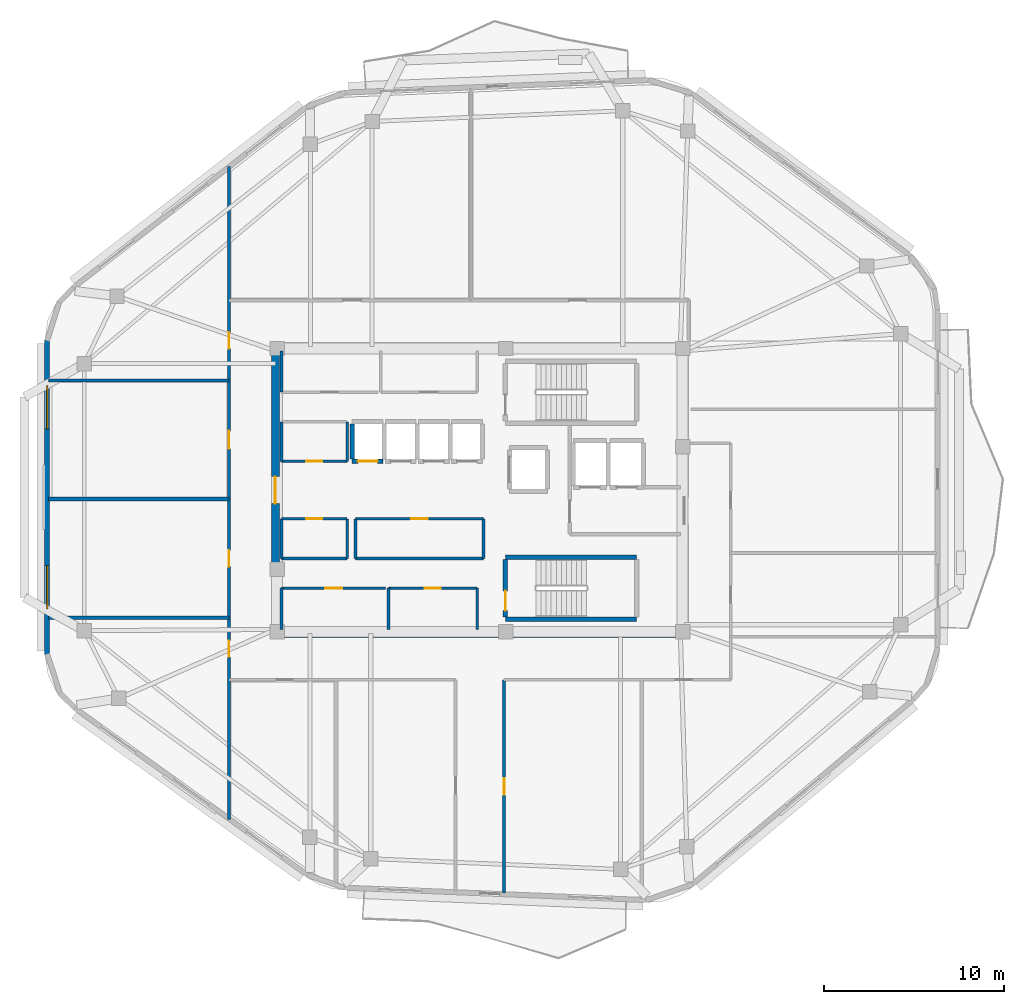
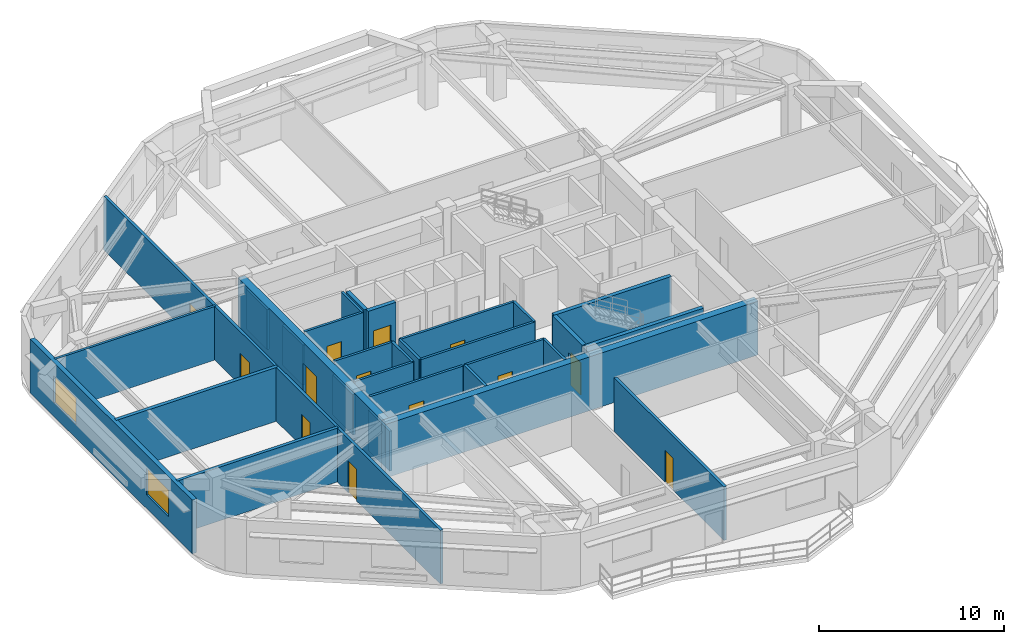
# One storey, part 3 of 8: 30 walls, 13 doors, 2 windows, 15 openings.
"""IFC4 building model written with IfcOpenShell, lengths in metres."""

import ifcopenshell
import ifcopenshell.guid

model = None  # the IFC model being written
_history = None  # IfcOwnerHistory: only IFC2X3 demands one
_inside = {}  # id of a spatial element -> (the spatial element, [elements in it])
_under = {}  # id of a project, library or spatial element -> (it, [spatial elements below it])
_declared = {}  # id of a project -> (the project, [libraries it declares])
_typed = {}  # id of a type object -> (the type object, [elements of that type])
_made_of = {}  # id of a material, layer set ... -> (it, [elements and type objects made of it])


def new_model(schema):
    """Start an empty IFC model of exactly this schema.

    Asked for "IFC4X3", IfcOpenShell would pick the latest addendum, in which some entities
    have other attributes; the version numbers below select the first issue.
    IFC2X3 requires an IfcOwnerHistory on every rooted entity: one is made here for all.
    """
    global model, _history
    if schema == "IFC4X3":
        model = ifcopenshell.file(schema_version=(4, 3, 0, 0))
    else:
        model = ifcopenshell.file(schema=schema)
    _inside.clear()
    _under.clear()
    _declared.clear()
    _typed.clear()
    _made_of.clear()
    _history = None
    if model.schema == "IFC2X3":
        org = make("IfcOrganization", Name="unknown")
        user = make(
            "IfcPersonAndOrganization",
            ThePerson=make("IfcPerson", FamilyName="unknown"),
            TheOrganization=org,
        )
        app = make(
            "IfcApplication",
            ApplicationDeveloper=org,
            Version="unknown",
            ApplicationFullName="unknown",
            ApplicationIdentifier="unknown",
        )
        _history = make(
            "IfcOwnerHistory",
            OwningUser=user,
            OwningApplication=app,
            ChangeAction="ADDED",
            CreationDate=0,
        )
    return model


def make(cls, **values):
    """One entity of the class cls with the attributes given. An attribute that is None is left unset."""
    return model.create_entity(
        cls, **{name: value for name, value in values.items() if value is not None}
    )


def rooted(cls, **values):
    """An entity with a GlobalId (a new one), such as an element, a storey or a relation."""
    return make(cls, GlobalId=ifcopenshell.guid.new(), OwnerHistory=_history, **values)


def si_unit(unit_type, name, prefix=None):
    """IfcSIUnit, for example si_unit("LENGTHUNIT", "METRE", prefix="MILLI")."""
    return make("IfcSIUnit", UnitType=unit_type, Prefix=prefix, Name=name)


def assignment(units):
    """IfcUnitAssignment: the units of a project."""
    return None if units is None else make("IfcUnitAssignment", Units=units)


def point(xyz):
    """IfcCartesianPoint."""
    return None if xyz is None else make("IfcCartesianPoint", Coordinates=xyz)


def direction(xyz):
    """IfcDirection."""
    return None if xyz is None else make("IfcDirection", DirectionRatios=xyz)


def frame(location, z_axis=None, x_axis=None):
    """IfcAxis2Placement3D, a coordinate frame: its origin and axes. An axis left out is left unset."""
    return make(
        "IfcAxis2Placement3D",
        Location=point(location),
        Axis=direction(z_axis),
        RefDirection=direction(x_axis),
    )


def frame_2d(location, x_axis=None):
    """IfcAxis2Placement2D, a coordinate frame in the plane: its origin and x axis."""
    return make(
        "IfcAxis2Placement2D", Location=point(location), RefDirection=direction(x_axis)
    )


def origin():
    """The frame at (0, 0, 0) with its axes left unset."""
    return frame((0.0, 0.0, 0.0))


def place(relative_to, where):
    """IfcLocalPlacement: puts the frame where relative to a parent placement (None: the world)."""
    return make(
        "IfcLocalPlacement", PlacementRelTo=relative_to, RelativePlacement=where
    )


def context(
    kind, dimensions, precision=None, world=None, true_north=None, identifier=None
):
    """IfcGeometricRepresentationContext, for example the 3D "Model" context."""
    return make(
        "IfcGeometricRepresentationContext",
        ContextIdentifier=identifier,
        ContextType=kind,
        CoordinateSpaceDimension=dimensions,
        Precision=precision,
        WorldCoordinateSystem=world,
        TrueNorth=true_north,
    )


def subcontext(parent, identifier, kind, view, scale=None):
    """IfcGeometricRepresentationSubContext, for example "Body" below "Model"."""
    return make(
        "IfcGeometricRepresentationSubContext",
        ContextIdentifier=identifier,
        ContextType=kind,
        ParentContext=parent,
        TargetScale=scale,
        TargetView=view,
    )


def project(units=None, contexts=None):
    """IfcProject with its units and contexts."""
    return rooted(
        "IfcProject",
        Name="project",
        RepresentationContexts=contexts,
        UnitsInContext=assignment(units),
    )


def spatial(cls, under=None, at=None, **own):
    """A site, building, storey or space (cls), placed at a placement, below another one or the project."""
    s = rooted(cls, ObjectPlacement=at, **own)
    if under is not None:
        _under.setdefault(under.id(), (under, []))[1].append(s)
    return s


def profile(cls, at=None, kind="AREA", **sizes):
    """A parametric profile (cls). Its sizes go by their IFC names, for example OverallWidth=200.0."""
    return make(cls, ProfileType=kind, Position=at, **sizes)


def rectangle(**sizes):
    """IfcRectangleProfileDef."""
    return profile("IfcRectangleProfileDef", **sizes)


def extrude(swept, where, along, depth):
    """IfcExtrudedAreaSolid: the profile swept, set in the frame where, extruded along a direction by depth."""
    return make(
        "IfcExtrudedAreaSolid",
        SweptArea=swept,
        Position=where,
        ExtrudedDirection=direction(along),
        Depth=depth,
    )


def shape(context_of_items, identifier, shape_type, items):
    """IfcShapeRepresentation: the items that make up one representation, for example the "Body"."""
    return make(
        "IfcShapeRepresentation",
        ContextOfItems=context_of_items,
        RepresentationIdentifier=identifier,
        RepresentationType=shape_type,
        Items=items,
    )


def material(Name=None, Category=None):
    """IfcMaterial."""
    return make("IfcMaterial", Name=Name, Category=Category)


def layer(
    of_material, thickness, ventilated=None, Name=None, Category=None, Priority=None
):
    """IfcMaterialLayer: one layer of a wall or slab, of a material (None: an air gap)."""
    return make(
        "IfcMaterialLayer",
        Material=of_material,
        LayerThickness=thickness,
        IsVentilated=ventilated,
        Name=Name,
        Category=Category,
        Priority=Priority,
    )


def layer_set(layers, Name=None):
    """IfcMaterialLayerSet."""
    return make("IfcMaterialLayerSet", MaterialLayers=layers, LayerSetName=Name)


def made_of(thing, what):
    """Note that an element or type object is made of a material, layer set ...; save() writes the relation."""
    if what is not None:
        _made_of.setdefault(what.id(), (what, []))[1].append(thing)
    return thing


def type_object(cls, material=None, **own):
    """A type object (cls), such as IfcWallType, which elements share."""
    return made_of(rooted(cls, **own), material)


def element(
    cls,
    number,
    at=None,
    inside=None,
    cuts=None,
    type_object=None,
    material=None,
    context=None,
    identifier="Body",
    shape_type=None,
    held_by="IfcProductDefinitionShape",
    body=None,
    shapes=None,
    **own,
):
    """One element of the class cls, such as IfcWall. Its Tag is "e" and its number.

    at: its placement. inside: the storey or other place that contains it. cuts: it is an
    opening in that element (IfcRelVoidsElement). A single representation is given by context,
    identifier, shape_type and body (its items); several are given by shapes. held_by: the class
    of the entity that holds the representations. save() writes the other relations.
    """
    e = rooted(cls, Tag="e%d" % number, ObjectPlacement=at, **own)
    if body is not None:
        shapes = [shape(context, identifier, shape_type, body)]
    if shapes is not None:
        e.Representation = make(held_by, Representations=shapes)
    if inside is not None:
        _inside.setdefault(inside.id(), (inside, []))[1].append(e)
    if cuts is not None:
        rooted(
            "IfcRelVoidsElement", RelatingBuildingElement=cuts, RelatedOpeningElement=e
        )
    if type_object is not None:
        _typed.setdefault(type_object.id(), (type_object, []))[1].append(e)
    return made_of(e, material)


def fill(opening, filler):
    """IfcRelFillsElement: the door or window that sits in an opening."""
    return rooted(
        "IfcRelFillsElement",
        RelatingOpeningElement=opening,
        RelatedBuildingElement=filler,
    )


def aggregate(whole, parts):
    """IfcRelAggregates: a whole, such as a stair, and the parts it consists of."""
    return rooted("IfcRelAggregates", RelatingObject=whole, RelatedObjects=parts)


def save(model, path):
    """Write the relations noted so far, then the file.

    IfcRelAggregates (storeys below a building ...), IfcRelContainedInSpatialStructure (elements
    in a storey), IfcRelDefinesByType, IfcRelAssociatesMaterial and IfcRelDeclares: one each for
    every whole, place, type object, material and project.
    """
    for whole, parts in _under.values():
        aggregate(whole, parts)
    for where, things in _inside.values():
        rooted(
            "IfcRelContainedInSpatialStructure",
            RelatedElements=things,
            RelatingStructure=where,
        )
    for kind, things in _typed.values():
        rooted("IfcRelDefinesByType", RelatedObjects=things, RelatingType=kind)
    for what, things in _made_of.values():
        rooted("IfcRelAssociatesMaterial", RelatedObjects=things, RelatingMaterial=what)
    for by, libraries in _declared.values():
        rooted("IfcRelDeclares", RelatingContext=by, RelatedDefinitions=libraries)
    model.write(path)


model = new_model("IFC4")

# Units and contexts
model_context = context("Model", 3, precision=1e-05, world=origin(), true_north=direction((0.0, 1.0)))
body_context = subcontext(model_context, "Body", "Model", "MODEL_VIEW")
ifc_project = project(units=[si_unit("LENGTHUNIT", "METRE"), si_unit("AREAUNIT", "SQUARE_METRE"), si_unit("VOLUMEUNIT", "CUBIC_METRE"), si_unit("PLANEANGLEUNIT", "RADIAN"), si_unit("MASSUNIT", "GRAM", prefix="KILO")], contexts=[model_context])

# Site, building, storey
site_placement = place(None, origin())
site = spatial("IfcSite", under=ifc_project, at=site_placement, CompositionType="ELEMENT")
building_placement = place(site_placement, origin())
building = spatial("IfcBuilding", under=site, at=building_placement, Name="Zulverin Broadcast Headquarters", CompositionType="ELEMENT")
storey_placement = place(building_placement, frame((0.0, 0.0, 274.39990234375)))
storey = spatial("IfcBuildingStorey", under=building, at=storey_placement, Name="L70", CompositionType="ELEMENT", Elevation=274.39990234375)

# Walls
ifc_material_1 = material(Name="Acoustic drywall steel stud", Category="steel")
ifc_layer_1 = layer(ifc_material_1, 0.199951171875, Name="Acoustic drywall steel stud", Category="steel")
ifc_layer_set_1 = layer_set([ifc_layer_1], Name="Acoustic drywall steel stud")
wall_type_1 = type_object("IfcWallType", Name="WL-ACOU-200", PredefinedType="PARTITIONING", material=ifc_layer_set_1)
wall_1_placement = place(storey_placement, frame((13.0048828125, 18.10009765625, 0.0), z_axis=(0.0, 0.0, 1.0), x_axis=(1.0, 0.0, 0.0)))
element("IfcWall", 1, at=wall_1_placement, inside=storey, type_object=wall_type_1, Name="L70 Room Partition Wall RP-12", PredefinedType="PARTITIONING", context=body_context, shape_type="SweptSolid", body=[
    extrude(rectangle(XDim=10.045166015625, YDim=0.199951171875, at=frame_2d((5.0224609375, 0.0))), origin(), (0.0, 0.0, 1.0), 3.5400390625),
])
ifc_material_2 = material(Name="Double-stud acoustic drywall", Category="gypsum")
ifc_layer_2 = layer(ifc_material_2, 0.219970703125, Name="Double-stud acoustic drywall", Category="gypsum")
ifc_layer_set_2 = layer_set([ifc_layer_2], Name="Double-stud acoustic drywall")
wall_type_2 = type_object("IfcWallType", Name="WL-ACOU-220", PredefinedType="PARTITIONING", material=ifc_layer_set_2)
wall_2_placement = place(storey_placement, frame((13.0048828125, 24.699951171875, 0.0), z_axis=(0.0, 0.0, 1.0), x_axis=(1.0, 0.0, 0.0)))
element("IfcWall", 2, at=wall_2_placement, inside=storey, type_object=wall_type_2, Name="L70 Room Partition Wall RP-14", PredefinedType="PARTITIONING", context=body_context, shape_type="SweptSolid", body=[
    extrude(rectangle(XDim=10.045166015625, YDim=0.219970703125, at=frame_2d((5.0224609375, 0.0))), origin(), (0.0, 0.0, 1.0), 3.5400390625),
])
ifc_material_3 = material(Name="Concrete C50/60", Category="concrete")
ifc_layer_3 = layer(ifc_material_3, 0.449951171875, Name="Concrete C50/60", Category="concrete")
ifc_layer_set_3 = layer_set([ifc_layer_3], Name="Concrete C50/60")
wall_type_3 = type_object("IfcWallType", Name="WL-CORE-450", PredefinedType="SHEAR", material=ifc_layer_set_3)
wall_3_placement = place(storey_placement, frame((25.39990234375, 17.22509765625, 0.0), z_axis=(0.0, 0.0, 1.0), x_axis=(1.0, 0.0, 0.0)))
element("IfcWall", 3, at=wall_3_placement, inside=storey, type_object=wall_type_3, Name="L70 Core South Shear Wall", PredefinedType="SHEAR", context=body_context, shape_type="SweptSolid", body=[
    extrude(rectangle(XDim=23.2001953125, YDim=0.449951171875, at=frame_2d((11.60009765625, 0.0))), origin(), (0.0, 0.0, 1.0), 3.5400390625),
])

# Wall, opening, door
wall_4_placement = place(storey_placement, frame((25.625, 17.449951171875, 0.0), z_axis=(0.0, 0.0, 1.0), x_axis=(0.0, 1.0, 0.0)))
wall_4 = element("IfcWall", 4, at=wall_4_placement, inside=storey, type_object=wall_type_3, Name="L70 Core West Shear Wall", PredefinedType="SHEAR", context=body_context, shape_type="SweptSolid", body=[
    extrude(rectangle(XDim=15.5, YDim=0.449951171875, at=frame_2d((7.75, 0.0))), origin(), (0.0, 0.0, 1.0), 3.5400390625),
])
opening_1_placement = place(wall_4_placement, frame((7.0, 0.0, 0.0)))
opening_1 = element("IfcOpeningElement", 5, at=opening_1_placement, cuts=wall_4, Name="Opening D-L70-CW1", PredefinedType="OPENING", context=body_context, shape_type="SweptSolid", body=[
    extrude(rectangle(XDim=1.5, YDim=2.14990234375, at=frame_2d((0.75, 1.074951171875))), frame((0.0, 0.23486328125, 0.0), z_axis=(0.0, -1.0, 0.0), x_axis=(1.0, 0.0, 0.0)), (0.0, 0.0, 1.0), 0.469970703125),
])
ifc_material_4 = material(Name="Fire-rated glazed steel frame", Category="steel")
door_type_1 = type_object("IfcDoorType", Name="DR-COR-1500", OperationType="DOUBLE_DOOR_SINGLE_SWING", PredefinedType="DOOR", material=ifc_material_4)
door_1_placement = place(opening_1_placement, origin())
door_1 = element("IfcDoor", 6, at=door_1_placement, inside=storey, type_object=door_type_1, Name="L70 Central Lift Lobby West Portal Door", OperationType="DOUBLE_DOOR_SINGLE_SWING", OverallHeight=2.14990234375, OverallWidth=1.5, PredefinedType="DOOR", context=body_context, shape_type="SweptSolid", body=[
    extrude(rectangle(XDim=1.5, YDim=2.14990234375, at=frame_2d((0.75, 1.074951171875))), frame((0.0, 0.02490234375, 0.0), z_axis=(0.0, -1.0, 0.0), x_axis=(1.0, 0.0, 0.0)), (0.0, 0.0, 1.0), 0.050048828125),
])
fill(opening_1, door_1)

# Wall, openings, windows
ifc_material_5 = material(Name="Insulated pale-metal clad concrete spandrel C40/50", Category="concrete")
ifc_layer_4 = layer(ifc_material_5, 0.280029296875, Name="Insulated pale-metal clad concrete spandrel C40/50", Category="concrete")
ifc_layer_set_4 = layer_set([ifc_layer_4], Name="Insulated pale-metal clad concrete spandrel C40/50")
wall_type_4 = type_object("IfcWallType", Name="WL-EXT-280", PredefinedType="STANDARD", material=ifc_layer_set_4)
wall_5_placement = place(storey_placement, frame((12.93994140625, 33.548095703125, 0.0), z_axis=(0.0, 0.0, 1.0), x_axis=(0.0, -1.0, 0.0)))
wall_5 = element("IfcWall", 7, at=wall_5_placement, inside=storey, type_object=wall_type_4, Name="L70 Pale-Metal Clad Spandrel Wall 7", PredefinedType="STANDARD", context=body_context, shape_type="SweptSolid", body=[
    extrude(rectangle(XDim=17.496337890625, YDim=0.280029296875, at=frame_2d((8.748046875, 0.0))), origin(), (0.0, 0.0, 1.0), 3.5400390625),
])
opening_2_placement = place(wall_5_placement, frame((2.54931640625, 0.0, 0.89990234375)))
opening_2 = element("IfcOpeningElement", 8, at=opening_2_placement, cuts=wall_5, Name="Opening W-L70-E71", PredefinedType="OPENING", context=body_context, shape_type="SweptSolid", body=[
    extrude(rectangle(XDim=2.39990234375, YDim=1.75, at=frame_2d((1.199951171875, 0.875))), frame((0.0, 0.14990234375, 0.0), z_axis=(0.0, -1.0, 0.0), x_axis=(1.0, 0.0, 0.0)), (0.0, 0.0, 1.0), 0.300048828125),
])
opening_3_placement = place(wall_5_placement, frame((12.546875, 0.0, 0.89990234375)))
opening_3 = element("IfcOpeningElement", 9, at=opening_3_placement, cuts=wall_5, Name="Opening W-L70-E72", PredefinedType="OPENING", context=body_context, shape_type="SweptSolid", body=[
    extrude(rectangle(XDim=2.39990234375, YDim=1.75, at=frame_2d((1.199951171875, 0.875))), frame((0.0, 0.14990234375, 0.0), z_axis=(0.0, -1.0, 0.0), x_axis=(1.0, 0.0, 0.0)), (0.0, 0.0, 1.0), 0.300048828125),
])
ifc_material_6 = material(Name="Pale anodized aluminium frame with solar-control low-E double glazing", Category="aluminium")
window_type = type_object("IfcWindowType", Name="WIN-RIB-2400", PartitioningType="SINGLE_PANEL", PredefinedType="WINDOW", material=ifc_material_6)
window_1_placement = place(opening_2_placement, origin())
window_1 = element("IfcWindow", 10, at=window_1_placement, inside=storey, type_object=window_type, Name="L70 Ribbon Glazing Window 7 1", OverallHeight=1.75, OverallWidth=2.39990234375, PartitioningType="SINGLE_PANEL", PredefinedType="WINDOW", context=body_context, shape_type="SweptSolid", body=[
    extrude(rectangle(XDim=2.39990234375, YDim=1.75, at=frame_2d((1.199951171875, 0.875))), frame((0.0, 0.030029296875, 0.0), z_axis=(0.0, -1.0, 0.0), x_axis=(1.0, 0.0, 0.0)), (0.0, 0.0, 1.0), 0.06005859375),
])
fill(opening_2, window_1)
window_2_placement = place(opening_3_placement, origin())
window_2 = element("IfcWindow", 11, at=window_2_placement, inside=storey, type_object=window_type, Name="L70 Ribbon Glazing Window 7 2", OverallHeight=1.75, OverallWidth=2.39990234375, PartitioningType="SINGLE_PANEL", PredefinedType="WINDOW", context=body_context, shape_type="SweptSolid", body=[
    extrude(rectangle(XDim=2.39990234375, YDim=1.75, at=frame_2d((1.199951171875, 0.875))), frame((0.0, 0.030029296875, 0.0), z_axis=(0.0, -1.0, 0.0), x_axis=(1.0, 0.0, 0.0)), (0.0, 0.0, 1.0), 0.06005859375),
])
fill(opening_3, window_2)

# Wall
ifc_material_7 = material(Name="Fire-rated gypsum stud partition", Category="gypsum")
ifc_layer_5 = layer(ifc_material_7, 0.14990234375, Name="Fire-rated gypsum stud partition", Category="gypsum")
ifc_layer_set_5 = layer_set([ifc_layer_5], Name="Fire-rated gypsum stud partition")
wall_type_5 = type_object("IfcWallType", Name="WL-PART-150", PredefinedType="PARTITIONING", material=ifc_layer_set_5)
wall_6_placement = place(storey_placement, frame((25.969970703125, 30.64990234375, 0.0), z_axis=(0.0, 0.0, 1.0), x_axis=(0.0, 1.0, 0.0)))
element("IfcWall", 12, at=wall_6_placement, inside=storey, type_object=wall_type_5, Name="L70 Core Male WC West Wall", PredefinedType="PARTITIONING", context=body_context, shape_type="SweptSolid", body=[
    extrude(rectangle(XDim=2.300048828125, YDim=0.14990234375, at=frame_2d((1.14990234375, 0.0))), origin(), (0.0, 0.0, 1.0), 2.64013671875),
])

# Wall, opening, door
wall_7_placement = place(storey_placement, frame((25.969970703125, 19.75, 0.0), z_axis=(0.0, 0.0, 1.0), x_axis=(1.0, 0.0, 0.0)))
wall_7 = element("IfcWall", 13, at=wall_7_placement, inside=storey, type_object=wall_type_5, Name="L70 Core Female WC Front Wall", PredefinedType="PARTITIONING", context=body_context, shape_type="SweptSolid", body=[
    extrude(rectangle(XDim=5.7900390625, YDim=0.14990234375, at=frame_2d((2.89501953125, 0.0))), origin(), (0.0, 0.0, 1.0), 3.5400390625),
])
opening_4_placement = place(wall_7_placement, frame((2.419921875, 0.0, 0.0)))
opening_4 = element("IfcOpeningElement", 14, at=opening_4_placement, cuts=wall_7, Name="Opening D-L70-SC1", PredefinedType="OPENING", context=body_context, shape_type="SweptSolid", body=[
    extrude(rectangle(XDim=0.949951171875, YDim=2.10009765625, at=frame_2d((0.47509765625, 1.050048828125))), frame((0.0, 0.0849609375, 0.0), z_axis=(0.0, -1.0, 0.0), x_axis=(1.0, 0.0, 0.0)), (0.0, 0.0, 1.0), 0.169921875),
])
ifc_material_8 = material(Name="Fire-rated moisture-resistant laminate leaf", Category="wood")
door_type_2 = type_object("IfcDoorType", Name="DR-WC-950", OperationType="SINGLE_SWING_LEFT", PredefinedType="DOOR", material=ifc_material_8)
door_2_placement = place(opening_4_placement, origin())
door_2 = element("IfcDoor", 15, at=door_2_placement, inside=storey, type_object=door_type_2, Name="L70 Female WC Door", OperationType="SINGLE_SWING_LEFT", OverallHeight=2.10009765625, OverallWidth=0.949951171875, PredefinedType="DOOR", context=body_context, shape_type="SweptSolid", body=[
    extrude(rectangle(XDim=0.949951171875, YDim=2.10009765625, at=frame_2d((0.47509765625, 1.050048828125))), frame((0.0, 0.02490234375, 0.0), z_axis=(0.0, -1.0, 0.0), x_axis=(1.0, 0.0, 0.0)), (0.0, 0.0, 1.0), 0.050048828125),
])
fill(opening_4, door_2)

# Wall
wall_8_placement = place(storey_placement, frame((25.969970703125, 17.449951171875, 0.0), z_axis=(0.0, 0.0, 1.0), x_axis=(0.0, 1.0, 0.0)))
element("IfcWall", 16, at=wall_8_placement, inside=storey, type_object=wall_type_5, Name="L70 Core Female WC West Wall", PredefinedType="PARTITIONING", context=body_context, shape_type="SweptSolid", body=[
    extrude(rectangle(XDim=2.300048828125, YDim=0.14990234375, at=frame_2d((1.14990234375, 0.0))), origin(), (0.0, 0.0, 1.0), 2.64013671875),
])

# Wall, opening, door
wall_9_placement = place(storey_placement, frame((31.919921875, 19.75, 0.0), z_axis=(0.0, 0.0, 1.0), x_axis=(1.0, 0.0, 0.0)))
wall_9 = element("IfcWall", 17, at=wall_9_placement, inside=storey, type_object=wall_type_5, Name="L70 Core Cleaner Store & Telecoms Riser Front Wall", PredefinedType="PARTITIONING", context=body_context, shape_type="SweptSolid", body=[
    extrude(rectangle(XDim=4.93017578125, YDim=0.14990234375, at=frame_2d((2.465087890625, 0.0))), origin(), (0.0, 0.0, 1.0), 3.5400390625),
])
opening_5_placement = place(wall_9_placement, frame((2.014892578125, 0.0, 0.0)))
opening_5 = element("IfcOpeningElement", 18, at=opening_5_placement, cuts=wall_9, Name="Opening D-L70-SC2", PredefinedType="OPENING", context=body_context, shape_type="SweptSolid", body=[
    extrude(rectangle(XDim=0.89990234375, YDim=2.10009765625, at=frame_2d((0.449951171875, 1.050048828125))), frame((0.0, 0.0849609375, 0.0), z_axis=(0.0, -1.0, 0.0), x_axis=(1.0, 0.0, 0.0)), (0.0, 0.0, 1.0), 0.169921875),
])
ifc_material_9 = material(Name="Powder-coated steel access leaf", Category="steel")
door_type_3 = type_object("IfcDoorType", Name="DR-RISER-900", OperationType="SINGLE_SWING_LEFT", PredefinedType="DOOR", material=ifc_material_9)
door_3_placement = place(opening_5_placement, origin())
door_3 = element("IfcDoor", 19, at=door_3_placement, inside=storey, type_object=door_type_3, Name="L70 Cleaner Store & Telecoms Riser Door", OperationType="SINGLE_SWING_RIGHT", OverallHeight=2.10009765625, OverallWidth=0.89990234375, PredefinedType="DOOR", context=body_context, shape_type="SweptSolid", body=[
    extrude(rectangle(XDim=0.89990234375, YDim=2.10009765625, at=frame_2d((0.449951171875, 1.050048828125))), frame((0.0, 0.02490234375, 0.0), z_axis=(0.0, -1.0, 0.0), x_axis=(1.0, 0.0, 0.0)), (0.0, 0.0, 1.0), 0.050048828125),
])
fill(opening_5, door_3)

# Walls
for number, where, z_axis, x_axis, name in (
    (20, (31.919921875, 17.449951171875, 0.0), (0.0, 0.0, 1.0), (0.0, 1.0, 0.0), "L70 Core Cleaner Store & Telecoms Riser West Wall"),
    (21, (36.85009765625, 17.449951171875, 0.0), (0.0, 0.0, 1.0), (0.0, 1.0, 0.0), "L70 Core Cleaner Store & Telecoms Riser East Wall"),
):
    element("IfcWall", number, at=place(storey_placement, frame(where, z_axis=z_axis, x_axis=x_axis)), inside=storey, type_object=wall_type_5, Name=name, PredefinedType="PARTITIONING", context=body_context, shape_type="SweptSolid", body=[
        extrude(rectangle(XDim=2.300048828125, YDim=0.14990234375, at=frame_2d((1.14990234375, 0.0))), origin(), (0.0, 0.0, 1.0), 3.5400390625),
    ])

# Wall, opening, door
wall_10_placement = place(storey_placement, frame((25.969970703125, 26.800048828125, 0.0), z_axis=(0.0, 0.0, 1.0), x_axis=(1.0, 0.0, 0.0)))
wall_10 = element("IfcWall", 22, at=wall_10_placement, inside=storey, type_object=wall_type_5, Name="L70 Broadcast Signal Patch Room S Wall", PredefinedType="PARTITIONING", context=body_context, shape_type="SweptSolid", body=[
    extrude(rectangle(XDim=3.650146484375, YDim=0.14990234375, at=frame_2d((1.8251953125, 0.0))), origin(), (0.0, 0.0, 1.0), 3.5400390625),
])
opening_6_placement = place(wall_10_placement, frame((1.375, 0.0, 0.0)))
opening_6 = element("IfcOpeningElement", 23, at=opening_6_placement, cuts=wall_10, Name="Opening D-L70-RCLN", PredefinedType="OPENING", context=body_context, shape_type="SweptSolid", body=[
    extrude(rectangle(XDim=0.89990234375, YDim=2.10009765625, at=frame_2d((0.449951171875, 1.050048828125))), frame((0.0, 0.0849609375, 0.0), z_axis=(0.0, -1.0, 0.0), x_axis=(1.0, 0.0, 0.0)), (0.0, 0.0, 1.0), 0.169921875),
])
door_4_placement = place(opening_6_placement, origin())
door_4 = element("IfcDoor", 24, at=door_4_placement, inside=storey, type_object=door_type_3, Name="L70 Broadcast Signal Patch Room Door", OperationType="SINGLE_SWING_LEFT", OverallHeight=2.10009765625, OverallWidth=0.89990234375, PredefinedType="DOOR", context=body_context, shape_type="SweptSolid", body=[
    extrude(rectangle(XDim=0.89990234375, YDim=2.10009765625, at=frame_2d((0.449951171875, 1.050048828125))), frame((0.0, 0.02490234375, 0.0), z_axis=(0.0, -1.0, 0.0), x_axis=(1.0, 0.0, 0.0)), (0.0, 0.0, 1.0), 0.050048828125),
])
fill(opening_6, door_4)

# Walls
wall_11_placement = place(storey_placement, frame((25.969970703125, 26.800048828125, 0.0), z_axis=(0.0, 0.0, 1.0), x_axis=(0.0, 1.0, 0.0)))
element("IfcWall", 25, at=wall_11_placement, inside=storey, type_object=wall_type_5, Name="L70 Broadcast Signal Patch Room W Wall", PredefinedType="PARTITIONING", context=body_context, shape_type="SweptSolid", body=[
    extrude(rectangle(XDim=2.199951171875, YDim=0.14990234375, at=frame_2d((1.10009765625, 0.0))), origin(), (0.0, 0.0, 1.0), 2.64013671875),
])
wall_12_placement = place(storey_placement, frame((29.6201171875, 26.800048828125, 0.0), z_axis=(0.0, 0.0, 1.0), x_axis=(0.0, 1.0, 0.0)))
element("IfcWall", 26, at=wall_12_placement, inside=storey, type_object=wall_type_5, Name="L70 Broadcast Signal Patch Room E Wall", PredefinedType="PARTITIONING", context=body_context, shape_type="SweptSolid", body=[
    extrude(rectangle(XDim=2.199951171875, YDim=0.14990234375, at=frame_2d((1.10009765625, 0.0))), origin(), (0.0, 0.0, 1.0), 3.5400390625),
])
wall_13_placement = place(storey_placement, frame((25.969970703125, 21.39990234375, 0.0), z_axis=(0.0, 0.0, 1.0), x_axis=(1.0, 0.0, 0.0)))
element("IfcWall", 27, at=wall_13_placement, inside=storey, type_object=wall_type_5, Name="L70 Media Ingestion Server Room S Wall", PredefinedType="PARTITIONING", context=body_context, shape_type="SweptSolid", body=[
    extrude(rectangle(XDim=3.650146484375, YDim=0.14990234375, at=frame_2d((1.8251953125, 0.0))), origin(), (0.0, 0.0, 1.0), 3.5400390625),
])

# Wall, opening, door
wall_14_placement = place(storey_placement, frame((25.969970703125, 23.60009765625, 0.0), z_axis=(0.0, 0.0, 1.0), x_axis=(1.0, 0.0, 0.0)))
wall_14 = element("IfcWall", 28, at=wall_14_placement, inside=storey, type_object=wall_type_5, Name="L70 Media Ingestion Server Room N Wall", PredefinedType="PARTITIONING", context=body_context, shape_type="SweptSolid", body=[
    extrude(rectangle(XDim=3.650146484375, YDim=0.14990234375, at=frame_2d((1.8251953125, 0.0))), origin(), (0.0, 0.0, 1.0), 3.5400390625),
])
opening_7_placement = place(wall_14_placement, frame((1.375, 0.0, 0.0)))
opening_7 = element("IfcOpeningElement", 29, at=opening_7_placement, cuts=wall_14, Name="Opening D-L70-RCLS", PredefinedType="OPENING", context=body_context, shape_type="SweptSolid", body=[
    extrude(rectangle(XDim=0.89990234375, YDim=2.10009765625, at=frame_2d((0.449951171875, 1.050048828125))), frame((0.0, 0.0849609375, 0.0), z_axis=(0.0, -1.0, 0.0), x_axis=(1.0, 0.0, 0.0)), (0.0, 0.0, 1.0), 0.169921875),
])
door_5_placement = place(opening_7_placement, origin())
door_5 = element("IfcDoor", 30, at=door_5_placement, inside=storey, type_object=door_type_3, Name="L70 Media Ingestion Server Room Door", OperationType="SINGLE_SWING_RIGHT", OverallHeight=2.10009765625, OverallWidth=0.89990234375, PredefinedType="DOOR", context=body_context, shape_type="SweptSolid", body=[
    extrude(rectangle(XDim=0.89990234375, YDim=2.10009765625, at=frame_2d((0.449951171875, 1.050048828125))), frame((0.0, 0.02490234375, 0.0), z_axis=(0.0, -1.0, 0.0), x_axis=(1.0, 0.0, 0.0)), (0.0, 0.0, 1.0), 0.050048828125),
])
fill(opening_7, door_5)

# Walls
wall_15_placement = place(storey_placement, frame((25.969970703125, 21.39990234375, 0.0), z_axis=(0.0, 0.0, 1.0), x_axis=(0.0, 1.0, 0.0)))
element("IfcWall", 31, at=wall_15_placement, inside=storey, type_object=wall_type_5, Name="L70 Media Ingestion Server Room W Wall", PredefinedType="PARTITIONING", context=body_context, shape_type="SweptSolid", body=[
    extrude(rectangle(XDim=2.2001953125, YDim=0.14990234375, at=frame_2d((1.10009765625, 0.0))), origin(), (0.0, 0.0, 1.0), 2.64013671875),
])
wall_16_placement = place(storey_placement, frame((29.6201171875, 21.39990234375, 0.0), z_axis=(0.0, 0.0, 1.0), x_axis=(0.0, 1.0, 0.0)))
element("IfcWall", 32, at=wall_16_placement, inside=storey, type_object=wall_type_5, Name="L70 Media Ingestion Server Room E Wall", PredefinedType="PARTITIONING", context=body_context, shape_type="SweptSolid", body=[
    extrude(rectangle(XDim=2.2001953125, YDim=0.14990234375, at=frame_2d((1.10009765625, 0.0))), origin(), (0.0, 0.0, 1.0), 3.5400390625),
])
wall_17_placement = place(storey_placement, frame((30.080078125, 21.39990234375, 0.0), z_axis=(0.0, 0.0, 1.0), x_axis=(1.0, 0.0, 0.0)))
element("IfcWall", 33, at=wall_17_placement, inside=storey, type_object=wall_type_5, Name="L70 Optical Telemetry Hub Room S Wall", PredefinedType="PARTITIONING", context=body_context, shape_type="SweptSolid", body=[
    extrude(rectangle(XDim=7.119873046875, YDim=0.14990234375, at=frame_2d((3.56005859375, 0.0))), origin(), (0.0, 0.0, 1.0), 3.5400390625),
])

# Wall, opening, door
wall_18_placement = place(storey_placement, frame((30.080078125, 23.60009765625, 0.0), z_axis=(0.0, 0.0, 1.0), x_axis=(1.0, 0.0, 0.0)))
wall_18 = element("IfcWall", 34, at=wall_18_placement, inside=storey, type_object=wall_type_5, Name="L70 Optical Telemetry Hub Room N Wall", PredefinedType="PARTITIONING", context=body_context, shape_type="SweptSolid", body=[
    extrude(rectangle(XDim=7.119873046875, YDim=0.14990234375, at=frame_2d((3.56005859375, 0.0))), origin(), (0.0, 0.0, 1.0), 3.5400390625),
])
opening_8_placement = place(wall_18_placement, frame((3.110107421875, 0.0, 0.0)))
opening_8 = element("IfcOpeningElement", 35, at=opening_8_placement, cuts=wall_18, Name="Opening D-L70-RM1", PredefinedType="OPENING", context=body_context, shape_type="SweptSolid", body=[
    extrude(rectangle(XDim=0.89990234375, YDim=2.10009765625, at=frame_2d((0.449951171875, 1.050048828125))), frame((0.0, 0.0849609375, 0.0), z_axis=(0.0, -1.0, 0.0), x_axis=(1.0, 0.0, 0.0)), (0.0, 0.0, 1.0), 0.169921875),
])
door_6_placement = place(opening_8_placement, origin())
door_6 = element("IfcDoor", 36, at=door_6_placement, inside=storey, type_object=door_type_3, Name="L70 Optical Telemetry Hub Room Door", OperationType="SINGLE_SWING_LEFT", OverallHeight=2.10009765625, OverallWidth=0.89990234375, PredefinedType="DOOR", context=body_context, shape_type="SweptSolid", body=[
    extrude(rectangle(XDim=0.89990234375, YDim=2.10009765625, at=frame_2d((0.449951171875, 1.050048828125))), frame((0.0, 0.02490234375, 0.0), z_axis=(0.0, -1.0, 0.0), x_axis=(1.0, 0.0, 0.0)), (0.0, 0.0, 1.0), 0.050048828125),
])
fill(opening_8, door_6)

# Walls
for number, where, z_axis, x_axis, name in (
    (37, (30.080078125, 21.39990234375, 0.0), (0.0, 0.0, 1.0), (0.0, 1.0, 0.0), "L70 Optical Telemetry Hub Room W Wall"),
    (38, (37.199951171875, 21.39990234375, 0.0), (0.0, 0.0, 1.0), (0.0, 1.0, 0.0), "L70 Optical Telemetry Hub Room E Wall"),
):
    element("IfcWall", number, at=place(storey_placement, frame(where, z_axis=z_axis, x_axis=x_axis)), inside=storey, type_object=wall_type_5, Name=name, PredefinedType="PARTITIONING", context=body_context, shape_type="SweptSolid", body=[
        extrude(rectangle(XDim=2.2001953125, YDim=0.14990234375, at=frame_2d((1.10009765625, 0.0))), origin(), (0.0, 0.0, 1.0), 3.5400390625),
    ])
wall_19_placement = place(storey_placement, frame((13.0048828125, 31.300048828125, 0.0), z_axis=(0.0, 0.0, 1.0), x_axis=(1.0, 0.0, 0.0)))
element("IfcWall", 39, at=wall_19_placement, inside=storey, type_object=wall_type_5, Name="L70 Room Partition Wall RP-17", PredefinedType="PARTITIONING", context=body_context, shape_type="SweptSolid", body=[
    extrude(rectangle(XDim=10.045166015625, YDim=0.14990234375, at=frame_2d((5.0224609375, 0.0))), origin(), (0.0, 0.0, 1.0), 3.5400390625),
])

# Wall, opening, door
ifc_material_10 = material(Name="Fire-rated acoustic stud wall", Category="gypsum")
ifc_layer_6 = layer(ifc_material_10, 0.175048828125, Name="Fire-rated acoustic stud wall", Category="gypsum")
ifc_layer_set_6 = layer_set([ifc_layer_6], Name="Fire-rated acoustic stud wall")
wall_type_6 = type_object("IfcWallType", Name="WL-PART-175", PredefinedType="PARTITIONING", material=ifc_layer_set_6)
wall_20_placement = place(storey_placement, frame((38.35009765625, 2.79150390625, 0.0), z_axis=(0.0, 0.0, 1.0), x_axis=(0.0, 1.0, 0.0)))
wall_20 = element("IfcWall", 40, at=wall_20_placement, inside=storey, type_object=wall_type_6, Name="L70 Gallery Partition Wall CG-04", PredefinedType="PARTITIONING", context=body_context, shape_type="SweptSolid", body=[
    extrude(rectangle(XDim=11.8583984375, YDim=0.175048828125, at=frame_2d((5.92919921875, 0.0))), origin(), (0.0, 0.0, 1.0), 3.5400390625),
])
opening_9_placement = place(wall_20_placement, frame((5.479248046875, 0.0, 0.0)))
opening_9 = element("IfcOpeningElement", 41, at=opening_9_placement, cuts=wall_20, Name="Opening D-L70-05", PredefinedType="OPENING", context=body_context, shape_type="SweptSolid", body=[
    extrude(rectangle(XDim=0.89990234375, YDim=2.10009765625, at=frame_2d((0.449951171875, 1.050048828125))), frame((0.0, 0.097412109375, 0.0), z_axis=(0.0, -1.0, 0.0), x_axis=(1.0, 0.0, 0.0)), (0.0, 0.0, 1.0), 0.195068359375),
])
ifc_material_11 = material(Name="Fire-rated hardwood veneer timber leaf", Category="wood")
door_type_4 = type_object("IfcDoorType", Name="DR-ROOM-900", OperationType="SINGLE_SWING_RIGHT", PredefinedType="DOOR", material=ifc_material_11)
door_7_placement = place(opening_9_placement, origin())
door_7 = element("IfcDoor", 42, at=door_7_placement, inside=storey, type_object=door_type_4, Name="L70 Executive Fitness Gym Door", OperationType="SINGLE_SWING_RIGHT", OverallHeight=2.10009765625, OverallWidth=0.89990234375, PredefinedType="DOOR", context=body_context, shape_type="SweptSolid", body=[
    extrude(rectangle(XDim=0.89990234375, YDim=2.10009765625, at=frame_2d((0.449951171875, 1.050048828125))), frame((0.0, 0.02490234375, 0.0), z_axis=(0.0, -1.0, 0.0), x_axis=(1.0, 0.0, 0.0)), (0.0, 0.0, 1.0), 0.050048828125),
])
fill(opening_9, door_7)

# Wall, openings, doors
wall_21_placement = place(storey_placement, frame((23.050048828125, 6.89404296875, 0.0), z_axis=(0.0, 0.0, 1.0), x_axis=(0.0, 1.0, 0.0)))
wall_21 = element("IfcWall", 43, at=wall_21_placement, inside=storey, type_object=wall_type_6, Name="L70 Gallery Partition Wall CG-08", PredefinedType="PARTITIONING", context=body_context, shape_type="SweptSolid", body=[
    extrude(rectangle(XDim=36.311767578125, YDim=0.175048828125, at=frame_2d((18.15576171875, 0.0))), origin(), (0.0, 0.0, 1.0), 3.5400390625),
])
opening_10_placement = place(wall_21_placement, frame((9.031005859375, 0.0, 0.0)))
opening_10 = element("IfcOpeningElement", 44, at=opening_10_placement, cuts=wall_21, Name="Opening D-L70-07", PredefinedType="OPENING", context=body_context, shape_type="SweptSolid", body=[
    extrude(rectangle(XDim=0.89990234375, YDim=2.10009765625, at=frame_2d((0.449951171875, 1.050048828125))), frame((0.0, 0.097412109375, 0.0), z_axis=(0.0, -1.0, 0.0), x_axis=(1.0, 0.0, 0.0)), (0.0, 0.0, 1.0), 0.195068359375),
])
opening_11_placement = place(wall_21_placement, frame((14.055908203125, 0.0, 0.0)))
opening_11 = element("IfcOpeningElement", 45, at=opening_11_placement, cuts=wall_21, Name="Opening D-L70-08", PredefinedType="OPENING", context=body_context, shape_type="SweptSolid", body=[
    extrude(rectangle(XDim=0.89990234375, YDim=2.10009765625, at=frame_2d((0.449951171875, 1.050048828125))), frame((0.0, 0.097412109375, 0.0), z_axis=(0.0, -1.0, 0.0), x_axis=(1.0, 0.0, 0.0)), (0.0, 0.0, 1.0), 0.195068359375),
])
opening_12_placement = place(wall_21_placement, frame((20.60595703125, 0.0, 0.0)))
opening_12 = element("IfcOpeningElement", 46, at=opening_12_placement, cuts=wall_21, Name="Opening D-L70-09", PredefinedType="OPENING", context=body_context, shape_type="SweptSolid", body=[
    extrude(rectangle(XDim=1.0, YDim=2.1201171875, at=frame_2d((0.5, 1.06005859375))), frame((0.0, 0.097412109375, 0.0), z_axis=(0.0, -1.0, 0.0), x_axis=(1.0, 0.0, 0.0)), (0.0, 0.0, 1.0), 0.195068359375),
])
opening_13_placement = place(wall_21_placement, frame((26.180908203125, 0.0, 0.0)))
opening_13 = element("IfcOpeningElement", 47, at=opening_13_placement, cuts=wall_21, Name="Opening D-L70-10", PredefinedType="OPENING", context=body_context, shape_type="SweptSolid", body=[
    extrude(rectangle(XDim=0.89990234375, YDim=2.10009765625, at=frame_2d((0.449951171875, 1.050048828125))), frame((0.0, 0.097412109375, 0.0), z_axis=(0.0, -1.0, 0.0), x_axis=(1.0, 0.0, 0.0)), (0.0, 0.0, 1.0), 0.195068359375),
])
ifc_material_12 = material(Name="Hardwood veneer acoustic leaf", Category="wood")
door_type_5 = type_object("IfcDoorType", Name="DR-OFF-1000", OperationType="SINGLE_SWING_LEFT", PredefinedType="DOOR", material=ifc_material_12)
door_8_placement = place(opening_12_placement, origin())
door_8 = element("IfcDoor", 48, at=door_8_placement, inside=storey, type_object=door_type_5, Name="L70 Amenity Management Office Door", OperationType="SINGLE_SWING_RIGHT", OverallHeight=2.1201171875, OverallWidth=1.0, PredefinedType="DOOR", context=body_context, shape_type="SweptSolid", body=[
    extrude(rectangle(XDim=1.0, YDim=2.1201171875, at=frame_2d((0.5, 1.06005859375))), frame((0.0, 0.02490234375, 0.0), z_axis=(0.0, -1.0, 0.0), x_axis=(1.0, 0.0, 0.0)), (0.0, 0.0, 1.0), 0.050048828125),
])
fill(opening_12, door_8)
door_9_placement = place(opening_10_placement, origin())
door_9 = element("IfcDoor", 49, at=door_9_placement, inside=storey, type_object=door_type_4, Name="L70 Sky Horizon Restaurant Door", OperationType="SINGLE_SWING_RIGHT", OverallHeight=2.10009765625, OverallWidth=0.89990234375, PredefinedType="DOOR", context=body_context, shape_type="SweptSolid", body=[
    extrude(rectangle(XDim=0.89990234375, YDim=2.10009765625, at=frame_2d((0.449951171875, 1.050048828125))), frame((0.0, 0.02490234375, 0.0), z_axis=(0.0, -1.0, 0.0), x_axis=(1.0, 0.0, 0.0)), (0.0, 0.0, 1.0), 0.050048828125),
])
fill(opening_10, door_9)
door_10_placement = place(opening_11_placement, origin())
door_10 = element("IfcDoor", 50, at=door_10_placement, inside=storey, type_object=door_type_4, Name="L70 Concierge Reception Door", OperationType="SINGLE_SWING_LEFT", OverallHeight=2.10009765625, OverallWidth=0.89990234375, PredefinedType="DOOR", context=body_context, shape_type="SweptSolid", body=[
    extrude(rectangle(XDim=0.89990234375, YDim=2.10009765625, at=frame_2d((0.449951171875, 1.050048828125))), frame((0.0, 0.02490234375, 0.0), z_axis=(0.0, -1.0, 0.0), x_axis=(1.0, 0.0, 0.0)), (0.0, 0.0, 1.0), 0.050048828125),
])
fill(opening_11, door_10)
door_11_placement = place(opening_13_placement, origin())
door_11 = element("IfcDoor", 51, at=door_11_placement, inside=storey, type_object=door_type_4, Name="L70 Club Committee Meeting Room Door", OperationType="SINGLE_SWING_LEFT", OverallHeight=2.10009765625, OverallWidth=0.89990234375, PredefinedType="DOOR", context=body_context, shape_type="SweptSolid", body=[
    extrude(rectangle(XDim=0.89990234375, YDim=2.10009765625, at=frame_2d((0.449951171875, 1.050048828125))), frame((0.0, 0.02490234375, 0.0), z_axis=(0.0, -1.0, 0.0), x_axis=(1.0, 0.0, 0.0)), (0.0, 0.0, 1.0), 0.050048828125),
])
fill(opening_13, door_11)

# Walls
ifc_layer_7 = layer(ifc_material_3, 0.25, Name="Concrete C50/60", Category="concrete")
ifc_layer_set_7 = layer_set([ifc_layer_7], Name="Concrete C50/60")
wall_type_7 = type_object("IfcWallType", Name="WL-SHAFT-250", PredefinedType="SHEAR", material=ifc_layer_set_7)
for number, where, z_axis, x_axis, name in (
    (52, (38.425048828125, 18.02490234375, 0.0), (0.0, 0.0, 1.0), (1.0, 0.0, 0.0), "L70 ST-2 Enclosure Wall S"),
    (53, (38.425048828125, 21.47509765625, 0.0), (0.0, 0.0, 1.0), (1.0, 0.0, 0.0), "L70 ST-2 Enclosure Wall N"),
):
    element("IfcWall", number, at=place(storey_placement, frame(where, z_axis=z_axis, x_axis=x_axis)), inside=storey, type_object=wall_type_7, Name=name, PredefinedType="SHEAR", context=body_context, shape_type="SweptSolid", body=[
        extrude(rectangle(XDim=7.300048828125, YDim=0.25, at=frame_2d((3.64990234375, 0.0))), origin(), (0.0, 0.0, 1.0), 3.5400390625),
    ])

# Wall, opening, door
wall_22_placement = place(storey_placement, frame((38.425048828125, 18.14990234375, 0.0), z_axis=(0.0, 0.0, 1.0), x_axis=(0.0, 1.0, 0.0)))
wall_22 = element("IfcWall", 54, at=wall_22_placement, inside=storey, type_object=wall_type_7, Name="L70 ST-2 Enclosure Wall W", PredefinedType="SHEAR", context=body_context, shape_type="SweptSolid", body=[
    extrude(rectangle(XDim=3.2001953125, YDim=0.25, at=frame_2d((1.60009765625, 0.0))), origin(), (0.0, 0.0, 1.0), 3.5400390625),
])
opening_14_placement = place(wall_22_placement, frame((0.35009765625, 0.0, 0.0)))
opening_14 = element("IfcOpeningElement", 55, at=opening_14_placement, cuts=wall_22, Name="Opening D-L70-ST-2", PredefinedType="OPENING", context=body_context, shape_type="SweptSolid", body=[
    extrude(rectangle(XDim=1.10009765625, YDim=2.14990234375, at=frame_2d((0.550048828125, 1.074951171875))), frame((0.0, 0.135009765625, 0.0), z_axis=(0.0, -1.0, 0.0), x_axis=(1.0, 0.0, 0.0)), (0.0, 0.0, 1.0), 0.27001953125),
])
ifc_material_13 = material(Name="Fire-rated steel leaf and frame", Category="steel")
door_type_6 = type_object("IfcDoorType", Name="DR-STAIR-1100", OperationType="SINGLE_SWING_LEFT", PredefinedType="DOOR", material=ifc_material_13)
door_12_placement = place(opening_14_placement, origin())
door_12 = element("IfcDoor", 56, at=door_12_placement, inside=storey, type_object=door_type_6, Name="L70 Exit Stair ST-2 Fire Door", OperationType="SINGLE_SWING_RIGHT", OverallHeight=2.14990234375, OverallWidth=1.10009765625, PredefinedType="DOOR", context=body_context, shape_type="SweptSolid", body=[
    extrude(rectangle(XDim=1.10009765625, YDim=2.14990234375, at=frame_2d((0.550048828125, 1.074951171875))), frame((0.0, 0.02490234375, 0.0), z_axis=(0.0, -1.0, 0.0), x_axis=(1.0, 0.0, 0.0)), (0.0, 0.0, 1.0), 0.050048828125),
])
fill(opening_14, door_12)

wall_23_placement = place(storey_placement, frame((29.89990234375, 26.800048828125, 0.0), z_axis=(0.0, 0.0, 1.0), x_axis=(1.0, 0.0, 0.0)))
wall_23 = element("IfcWall", 57, at=wall_23_placement, inside=storey, type_object=wall_type_7, Name="L70 Lift PL-H1 Shaft Wall S", PredefinedType="SHEAR", context=body_context, shape_type="SweptSolid", body=[
    extrude(rectangle(XDim=1.72021484375, YDim=0.25, at=frame_2d((0.860107421875, 0.0))), origin(), (0.0, 0.0, 1.0), 3.5400390625),
])
opening_15_placement = place(wall_23_placement, frame((0.31005859375, 0.0, 0.0)))
opening_15 = element("IfcOpeningElement", 58, at=opening_15_placement, cuts=wall_23, Name="Opening LD-PL-H1-L70", PredefinedType="OPENING", context=body_context, shape_type="SweptSolid", body=[
    extrude(rectangle(XDim=1.10009765625, YDim=2.14990234375, at=frame_2d((0.550048828125, 1.074951171875))), frame((0.0, 0.135009765625, 0.0), z_axis=(0.0, -1.0, 0.0), x_axis=(1.0, 0.0, 0.0)), (0.0, 0.0, 1.0), 0.27001953125),
])
ifc_material_14 = material(Name="Brushed stainless steel landing", Category="steel")
door_type_7 = type_object("IfcDoorType", Name="LD-PASS-1100", OperationType="DOUBLE_DOOR_SLIDING", PredefinedType="DOOR", material=ifc_material_14)
door_13_placement = place(opening_15_placement, origin())
door_13 = element("IfcDoor", 59, at=door_13_placement, inside=storey, type_object=door_type_7, Name="L70 Lift PL-H1 Sliding Landing Door", OperationType="DOUBLE_DOOR_SLIDING", OverallHeight=2.14990234375, OverallWidth=1.10009765625, PredefinedType="DOOR", context=body_context, shape_type="SweptSolid", body=[
    extrude(rectangle(XDim=1.10009765625, YDim=2.14990234375, at=frame_2d((0.550048828125, 1.074951171875))), frame((0.0, 0.02490234375, 0.0), z_axis=(0.0, -1.0, 0.0), x_axis=(1.0, 0.0, 0.0)), (0.0, 0.0, 1.0), 0.050048828125),
])
fill(opening_15, door_13)

# Wall
wall_24_placement = place(storey_placement, frame((29.89990234375, 26.919921875, 0.0), z_axis=(0.0, 0.0, 1.0), x_axis=(0.0, 1.0, 0.0)))
element("IfcWall", 60, at=wall_24_placement, inside=storey, type_object=wall_type_7, Name="L70 Lift PL-H1 Shaft Wall W", PredefinedType="SHEAR", context=body_context, shape_type="SweptSolid", body=[
    extrude(rectangle(XDim=1.9599609375, YDim=0.25, at=frame_2d((0.97998046875, 0.0))), origin(), (0.0, 0.0, 1.0), 3.5400390625),
])

save(model, "model.ifc")
